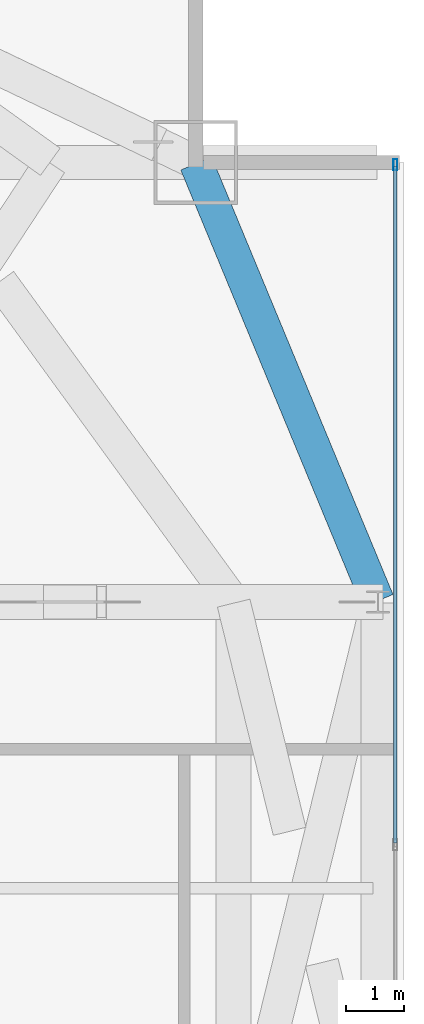
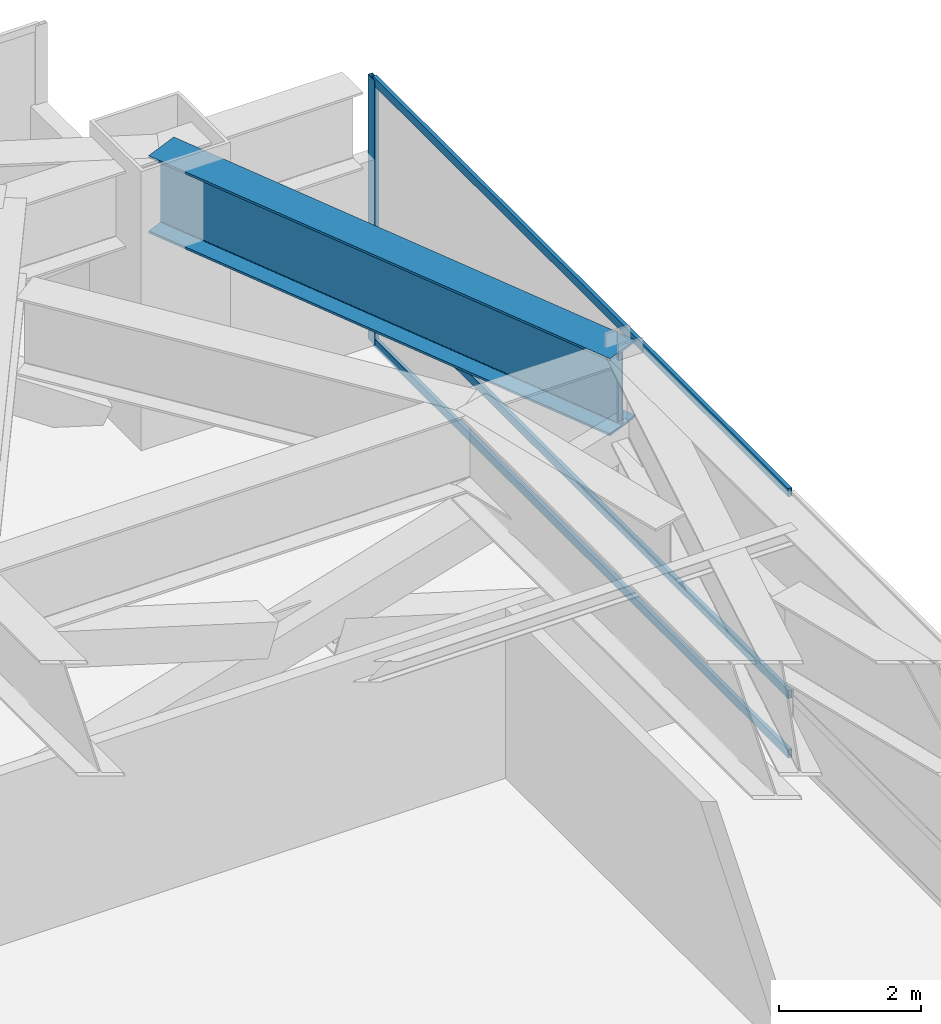
# One storey, part 24 of 32: 4 members, 1 beam, 1 element without a shape of its own.
"""IFC4 building model written with IfcOpenShell, lengths in metres."""

import ifcopenshell
import ifcopenshell.guid

model = None  # the IFC model being written
_history = None  # IfcOwnerHistory: only IFC2X3 demands one
_inside = {}  # id of a spatial element -> (the spatial element, [elements in it])
_under = {}  # id of a project, library or spatial element -> (it, [spatial elements below it])
_declared = {}  # id of a project -> (the project, [libraries it declares])
_typed = {}  # id of a type object -> (the type object, [elements of that type])
_made_of = {}  # id of a material, layer set ... -> (it, [elements and type objects made of it])


def new_model(schema):
    """Start an empty IFC model of exactly this schema.

    Asked for "IFC4X3", IfcOpenShell would pick the latest addendum, in which some entities
    have other attributes; the version numbers below select the first issue.
    IFC2X3 requires an IfcOwnerHistory on every rooted entity: one is made here for all.
    """
    global model, _history
    if schema == "IFC4X3":
        model = ifcopenshell.file(schema_version=(4, 3, 0, 0))
    else:
        model = ifcopenshell.file(schema=schema)
    _inside.clear()
    _under.clear()
    _declared.clear()
    _typed.clear()
    _made_of.clear()
    _history = None
    if model.schema == "IFC2X3":
        org = make("IfcOrganization", Name="unknown")
        user = make(
            "IfcPersonAndOrganization",
            ThePerson=make("IfcPerson", FamilyName="unknown"),
            TheOrganization=org,
        )
        app = make(
            "IfcApplication",
            ApplicationDeveloper=org,
            Version="unknown",
            ApplicationFullName="unknown",
            ApplicationIdentifier="unknown",
        )
        _history = make(
            "IfcOwnerHistory",
            OwningUser=user,
            OwningApplication=app,
            ChangeAction="ADDED",
            CreationDate=0,
        )
    return model


def make(cls, **values):
    """One entity of the class cls with the attributes given. An attribute that is None is left unset."""
    return model.create_entity(
        cls, **{name: value for name, value in values.items() if value is not None}
    )


def rooted(cls, **values):
    """An entity with a GlobalId (a new one), such as an element, a storey or a relation."""
    return make(cls, GlobalId=ifcopenshell.guid.new(), OwnerHistory=_history, **values)


def si_unit(unit_type, name, prefix=None):
    """IfcSIUnit, for example si_unit("LENGTHUNIT", "METRE", prefix="MILLI")."""
    return make("IfcSIUnit", UnitType=unit_type, Prefix=prefix, Name=name)


def assignment(units):
    """IfcUnitAssignment: the units of a project."""
    return None if units is None else make("IfcUnitAssignment", Units=units)


def point(xyz):
    """IfcCartesianPoint."""
    return None if xyz is None else make("IfcCartesianPoint", Coordinates=xyz)


def direction(xyz):
    """IfcDirection."""
    return None if xyz is None else make("IfcDirection", DirectionRatios=xyz)


def frame(location, z_axis=None, x_axis=None):
    """IfcAxis2Placement3D, a coordinate frame: its origin and axes. An axis left out is left unset."""
    return make(
        "IfcAxis2Placement3D",
        Location=point(location),
        Axis=direction(z_axis),
        RefDirection=direction(x_axis),
    )


def frame_2d(location, x_axis=None):
    """IfcAxis2Placement2D, a coordinate frame in the plane: its origin and x axis."""
    return make(
        "IfcAxis2Placement2D", Location=point(location), RefDirection=direction(x_axis)
    )


def origin():
    """The frame at (0, 0, 0) with its axes left unset."""
    return frame((0.0, 0.0, 0.0))


def origin_2d():
    """The frame at (0, 0) in the plane with its x axis left unset."""
    return frame_2d((0.0, 0.0))


def place(relative_to, where):
    """IfcLocalPlacement: puts the frame where relative to a parent placement (None: the world)."""
    return make(
        "IfcLocalPlacement", PlacementRelTo=relative_to, RelativePlacement=where
    )


def context(
    kind, dimensions, precision=None, world=None, true_north=None, identifier=None
):
    """IfcGeometricRepresentationContext, for example the 3D "Model" context."""
    return make(
        "IfcGeometricRepresentationContext",
        ContextIdentifier=identifier,
        ContextType=kind,
        CoordinateSpaceDimension=dimensions,
        Precision=precision,
        WorldCoordinateSystem=world,
        TrueNorth=true_north,
    )


def subcontext(parent, identifier, kind, view, scale=None):
    """IfcGeometricRepresentationSubContext, for example "Body" below "Model"."""
    return make(
        "IfcGeometricRepresentationSubContext",
        ContextIdentifier=identifier,
        ContextType=kind,
        ParentContext=parent,
        TargetScale=scale,
        TargetView=view,
    )


def project(units=None, contexts=None):
    """IfcProject with its units and contexts."""
    return rooted(
        "IfcProject",
        Name="project",
        RepresentationContexts=contexts,
        UnitsInContext=assignment(units),
    )


def spatial(cls, under=None, at=None, **own):
    """A site, building, storey or space (cls), placed at a placement, below another one or the project."""
    s = rooted(cls, ObjectPlacement=at, **own)
    if under is not None:
        _under.setdefault(under.id(), (under, []))[1].append(s)
    return s


def profile(cls, at=None, kind="AREA", **sizes):
    """A parametric profile (cls). Its sizes go by their IFC names, for example OverallWidth=200.0."""
    return make(cls, ProfileType=kind, Position=at, **sizes)


def hollow_rectangle(**sizes):
    """IfcRectangleHollowProfileDef."""
    return profile("IfcRectangleHollowProfileDef", **sizes)


def i_section(**sizes):
    """IfcIShapeProfileDef."""
    return profile("IfcIShapeProfileDef", **sizes)


def extrude(swept, where, along, depth):
    """IfcExtrudedAreaSolid: the profile swept, set in the frame where, extruded along a direction by depth."""
    return make(
        "IfcExtrudedAreaSolid",
        SweptArea=swept,
        Position=where,
        ExtrudedDirection=direction(along),
        Depth=depth,
    )


def shape(context_of_items, identifier, shape_type, items):
    """IfcShapeRepresentation: the items that make up one representation, for example the "Body"."""
    return make(
        "IfcShapeRepresentation",
        ContextOfItems=context_of_items,
        RepresentationIdentifier=identifier,
        RepresentationType=shape_type,
        Items=items,
    )


def source(mapping_origin, context_of_items, identifier, shape_type, items):
    """IfcRepresentationMap: a shape defined once, which mapped items show again and again."""
    return make(
        "IfcRepresentationMap",
        MappingOrigin=mapping_origin,
        MappedRepresentation=shape(context_of_items, identifier, shape_type, items),
    )


def transform(
    local_origin,
    x_axis=None,
    y_axis=None,
    z_axis=None,
    scale=None,
    scale2=None,
    scale3=None,
    uniform=True,
):
    """IfcCartesianTransformationOperator3D, or its non-uniform kind. x_axis, y_axis, z_axis: its Axis1, 2, 3."""
    if uniform:
        return make(
            "IfcCartesianTransformationOperator3D",
            Axis1=direction(x_axis),
            Axis2=direction(y_axis),
            LocalOrigin=point(local_origin),
            Scale=scale,
            Axis3=direction(z_axis),
        )
    return make(
        "IfcCartesianTransformationOperator3DnonUniform",
        Axis1=direction(x_axis),
        Axis2=direction(y_axis),
        LocalOrigin=point(local_origin),
        Scale=scale,
        Axis3=direction(z_axis),
        Scale2=scale2,
        Scale3=scale3,
    )


def mapped(mapping_source, mapping_target):
    """IfcMappedItem: shows the shape of a source again, moved by a transform."""
    return make(
        "IfcMappedItem", MappingSource=mapping_source, MappingTarget=mapping_target
    )


def material(Name=None, Category=None):
    """IfcMaterial."""
    return make("IfcMaterial", Name=Name, Category=Category)


def layer(
    of_material, thickness, ventilated=None, Name=None, Category=None, Priority=None
):
    """IfcMaterialLayer: one layer of a wall or slab, of a material (None: an air gap)."""
    return make(
        "IfcMaterialLayer",
        Material=of_material,
        LayerThickness=thickness,
        IsVentilated=ventilated,
        Name=Name,
        Category=Category,
        Priority=Priority,
    )


def layer_set(layers, Name=None):
    """IfcMaterialLayerSet."""
    return make("IfcMaterialLayerSet", MaterialLayers=layers, LayerSetName=Name)


def material_profile(
    of_material, cross_section, Name=None, Category=None, Priority=None
):
    """IfcMaterialProfile: a cross section and its material."""
    return make(
        "IfcMaterialProfile",
        Name=Name,
        Material=of_material,
        Profile=cross_section,
        Priority=Priority,
        Category=Category,
    )


def profile_set(profiles, Name=None, composite=None):
    """IfcMaterialProfileSet."""
    return make(
        "IfcMaterialProfileSet",
        Name=Name,
        MaterialProfiles=profiles,
        CompositeProfile=composite,
    )


def made_of(thing, what):
    """Note that an element or type object is made of a material, layer set ...; save() writes the relation."""
    if what is not None:
        _made_of.setdefault(what.id(), (what, []))[1].append(thing)
    return thing


def type_object(cls, material=None, **own):
    """A type object (cls), such as IfcWallType, which elements share."""
    return made_of(rooted(cls, **own), material)


def type_shapes(of_type, sources):
    """Give a type object the sources (RepresentationMaps) that its elements show as mapped items."""
    of_type.RepresentationMaps = sources


def element(
    cls,
    number,
    at=None,
    inside=None,
    cuts=None,
    type_object=None,
    material=None,
    context=None,
    identifier="Body",
    shape_type=None,
    held_by="IfcProductDefinitionShape",
    body=None,
    shapes=None,
    **own,
):
    """One element of the class cls, such as IfcWall. Its Tag is "e" and its number.

    at: its placement. inside: the storey or other place that contains it. cuts: it is an
    opening in that element (IfcRelVoidsElement). A single representation is given by context,
    identifier, shape_type and body (its items); several are given by shapes. held_by: the class
    of the entity that holds the representations. save() writes the other relations.
    """
    e = rooted(cls, Tag="e%d" % number, ObjectPlacement=at, **own)
    if body is not None:
        shapes = [shape(context, identifier, shape_type, body)]
    if shapes is not None:
        e.Representation = make(held_by, Representations=shapes)
    if inside is not None:
        _inside.setdefault(inside.id(), (inside, []))[1].append(e)
    if cuts is not None:
        rooted(
            "IfcRelVoidsElement", RelatingBuildingElement=cuts, RelatedOpeningElement=e
        )
    if type_object is not None:
        _typed.setdefault(type_object.id(), (type_object, []))[1].append(e)
    return made_of(e, material)


def aggregate(whole, parts):
    """IfcRelAggregates: a whole, such as a stair, and the parts it consists of."""
    return rooted("IfcRelAggregates", RelatingObject=whole, RelatedObjects=parts)


def save(model, path):
    """Write the relations noted so far, then the file.

    IfcRelAggregates (storeys below a building ...), IfcRelContainedInSpatialStructure (elements
    in a storey), IfcRelDefinesByType, IfcRelAssociatesMaterial and IfcRelDeclares: one each for
    every whole, place, type object, material and project.
    """
    for whole, parts in _under.values():
        aggregate(whole, parts)
    for where, things in _inside.values():
        rooted(
            "IfcRelContainedInSpatialStructure",
            RelatedElements=things,
            RelatingStructure=where,
        )
    for kind, things in _typed.values():
        rooted("IfcRelDefinesByType", RelatedObjects=things, RelatingType=kind)
    for what, things in _made_of.values():
        rooted("IfcRelAssociatesMaterial", RelatedObjects=things, RelatingMaterial=what)
    for by, libraries in _declared.values():
        rooted("IfcRelDeclares", RelatingContext=by, RelatedDefinitions=libraries)
    model.write(path)


model = new_model("IFC4")

# Units and contexts
model_context = context("Model", 3, precision=1e-05, world=origin(), true_north=direction((0.0, 1.0)))
body_context = subcontext(model_context, "Body", "Model", "MODEL_VIEW")
ifc_project = project(units=[si_unit("LENGTHUNIT", "METRE"), si_unit("AREAUNIT", "SQUARE_METRE"), si_unit("VOLUMEUNIT", "CUBIC_METRE"), si_unit("PLANEANGLEUNIT", "RADIAN"), si_unit("MASSUNIT", "GRAM", prefix="KILO")], contexts=[model_context])

# Site, building, storey
site_placement = place(None, origin())
site = spatial("IfcSite", under=ifc_project, at=site_placement, CompositionType="ELEMENT")
building_placement = place(site_placement, origin())
building = spatial("IfcBuilding", under=site, at=building_placement, Name="Varnel Quay Broadcast Tower", CompositionType="ELEMENT")
storey_placement = place(building_placement, frame((0.0, 0.0, 141.0)))
storey = spatial("IfcBuildingStorey", under=building, at=storey_placement, Name="L34", CompositionType="ELEMENT", Elevation=141.0)

# Beam
ifc_material_1 = material(Name="Structural Steel CSA G40.21 350WT", Category="steel")
ifc_material_profile_1 = material_profile(ifc_material_1, i_section(OverallWidth=0.580078125, OverallDepth=1.330078125, WebThickness=0.02197265625, FlangeThickness=0.0380859375, FilletRadius=0.02001953125, at=origin_2d()), Name="WWF1330X535")
ifc_profile_set_1 = profile_set([ifc_material_profile_1], Name="Structural Steel CSA G40.21 350WT")
beam_type = type_object("IfcBeamType", Name="Girder_WWF1330X535", PredefinedType="BEAM", material=ifc_profile_set_1)
shared_shape_1 = source(origin(), body_context, "Body", "SweptSolid", [
    extrude(i_section(OverallWidth=0.580078125, OverallDepth=1.330078125, WebThickness=0.02197265625, FlangeThickness=0.0380859375, FilletRadius=0.02001953125, at=origin_2d()), origin(), (0.0, 0.0, 1.0), 8.186767578125),
])
type_shapes(beam_type, [shared_shape_1])
beam_placement = place(storey_placement, frame((63.042236328125, 35.618408203125, 3.885009765625), z_axis=(-0.382874132092, 0.923800519038, 0.0), x_axis=(-0.923800519038, -0.382874132092, 0.0)))
element("IfcBeam", 1, at=beam_placement, inside=storey, type_object=beam_type, Name="L34 East Transfer Spine TC-E3-MC-NE", PredefinedType="BEAM", context=body_context, shape_type="MappedRepresentation", body=[
    mapped(shared_shape_1, transform((0.0, 0.0, 0.0), x_axis=(1.0, 0.0, 0.0), y_axis=(0.0, 1.0, 0.0), z_axis=(0.0, 0.0, 1.0), scale=1.0)),
])

# Curtain wall, members
ifc_material_2 = material(Name="Anodised Bronze Aluminium 6063-T6", Category="aluminium")
ifc_layer = layer(ifc_material_2, 0.18994140625, Name="Anodised Bronze Aluminium 6063-T6")
ifc_layer_set = layer_set([ifc_layer], Name="Anodised Bronze Aluminium 6063-T6")
curtain_wall_type = type_object("IfcCurtainWallType", Name="CW_LowerTower", PredefinedType="NOTDEFINED", material=ifc_layer_set)
curtain_wall_placement = place(storey_placement, origin())
curtain_wall = element("IfcCurtainWall", 2, at=curtain_wall_placement, inside=storey, type_object=curtain_wall_type, Name="L34 East Unitised Curtain Wall", PredefinedType="NOTDEFINED")
ifc_material_profile_2 = material_profile(ifc_material_2, hollow_rectangle(XDim=0.070068359375, YDim=0.18994140625, WallThickness=0.00390625, at=origin_2d()), Name="ALU70X190X4")
ifc_profile_set_2 = profile_set([ifc_material_profile_2], Name="Anodised Bronze Aluminium 6063-T6")
member_type_1 = type_object("IfcMemberType", Name="Mull_CWS-02", PredefinedType="MULLION", material=ifc_profile_set_2)
shared_shape_2 = source(origin(), body_context, "Body", "SweptSolid", [
    extrude(hollow_rectangle(XDim=0.070068359375, YDim=0.18994140625, WallThickness=0.00390625, at=origin_2d()), origin(), (0.0, 0.0, 1.0), 4.550048828125),
])
type_shapes(member_type_1, [shared_shape_2])
member_1_placement = place(storey_placement, frame((63.35009765625, 43.1650390625, 0.0), z_axis=(0.0, 0.0, 1.0), x_axis=(-1.0, 0.0, 0.0)))
member_1 = element("IfcMember", 3, at=member_1_placement, type_object=member_type_1, Name="CWS-02 mullion 4", PredefinedType="MULLION", context=body_context, shape_type="MappedRepresentation", body=[
    mapped(shared_shape_2, transform((0.0, 0.0, 0.0), x_axis=(1.0, 0.0, 0.0), y_axis=(0.0, 1.0, 0.0), z_axis=(0.0, 0.0, 1.0), scale=1.0)),
])
ifc_material_profile_3 = material_profile(ifc_material_2, hollow_rectangle(XDim=0.06005859375, YDim=0.14501953125, WallThickness=0.00341796875, at=origin_2d()), Name="ALU60X145X3.5")
ifc_profile_set_3 = profile_set([ifc_material_profile_3], Name="Anodised Bronze Aluminium 6063-T6")
member_type_2 = type_object("IfcMemberType", Name="Tran_CWS-02", PredefinedType="USERDEFINED", material=ifc_profile_set_3)
shared_shape_3 = source(origin(), body_context, "Body", "SweptSolid", [
    extrude(hollow_rectangle(XDim=0.06005859375, YDim=0.14501953125, WallThickness=0.00341796875, at=origin_2d()), origin(), (0.0, 0.0, 1.0), 11.69482421875),
])
type_shapes(member_type_2, [shared_shape_3])
member_2_placement = place(storey_placement, frame((63.35009765625, 31.43505859375, 0.030029296875), z_axis=(0.0, 1.0, 0.0), x_axis=(-1.0, 0.0, 0.0)))
member_2 = element("IfcMember", 4, at=member_2_placement, type_object=member_type_2, Name="CWS-02 transom 3.1", ObjectType="TRANSOM", PredefinedType="USERDEFINED", context=body_context, shape_type="MappedRepresentation", body=[
    mapped(shared_shape_3, transform((0.0, 0.0, 0.0), x_axis=(1.0, 0.0, 0.0), y_axis=(0.0, 1.0, 0.0), z_axis=(0.0, 0.0, 1.0), scale=1.0)),
])
member_3_placement = place(storey_placement, frame((63.35009765625, 31.43505859375, 1.050048828125), z_axis=(0.0, 1.0, 0.0), x_axis=(-1.0, 0.0, 0.0)))
member_3 = element("IfcMember", 5, at=member_3_placement, type_object=member_type_2, Name="CWS-02 transom 3.2", ObjectType="TRANSOM", PredefinedType="USERDEFINED", context=body_context, shape_type="MappedRepresentation", body=[
    mapped(shared_shape_3, transform((0.0, 0.0, 0.0), x_axis=(1.0, 0.0, 0.0), y_axis=(0.0, 1.0, 0.0), z_axis=(0.0, 0.0, 1.0), scale=1.0)),
])
member_4_placement = place(storey_placement, frame((63.35009765625, 31.43505859375, 4.52001953125), z_axis=(0.0, 1.0, 0.0), x_axis=(-1.0, 0.0, 0.0)))
member_4 = element("IfcMember", 6, at=member_4_placement, type_object=member_type_2, Name="CWS-02 transom 3.3", ObjectType="TRANSOM", PredefinedType="USERDEFINED", context=body_context, shape_type="MappedRepresentation", body=[
    mapped(shared_shape_3, transform((0.0, 0.0, 0.0), x_axis=(1.0, 0.0, 0.0), y_axis=(0.0, 1.0, 0.0), z_axis=(0.0, 0.0, 1.0), scale=1.0)),
])
aggregate(curtain_wall, [member_1, member_2, member_3, member_4])

save(model, "model.ifc")
